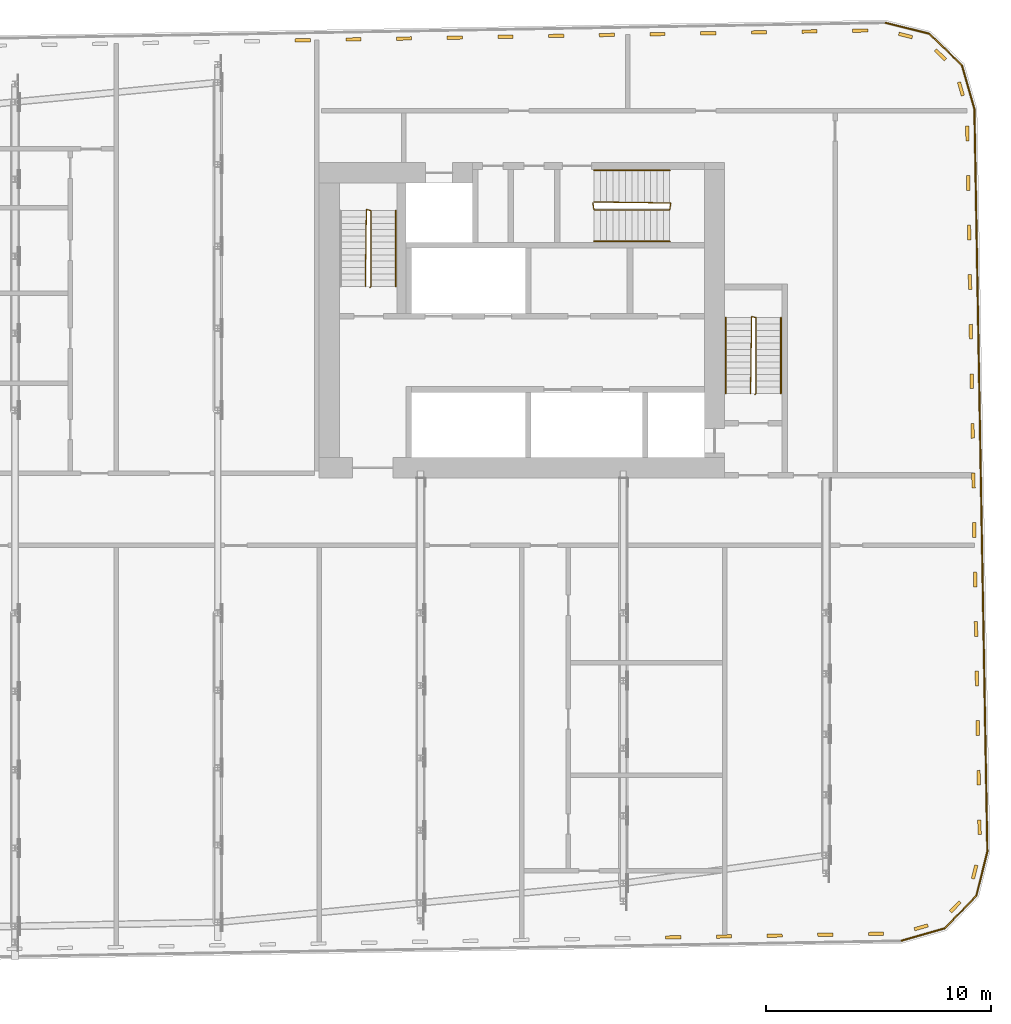
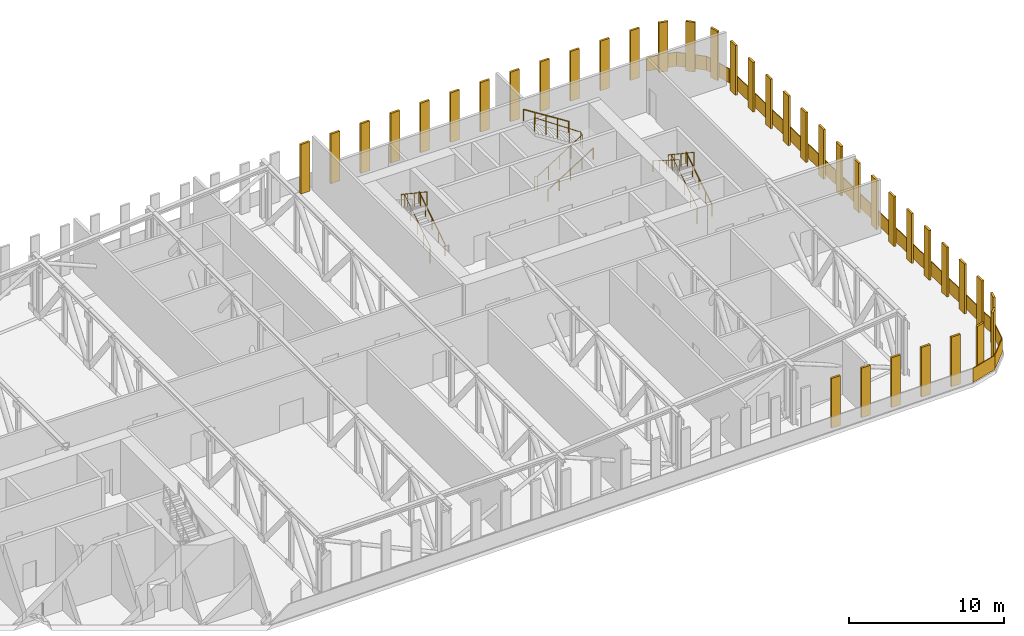
# One storey, part 26 of 26: 38 shading devices, 15 railings.
"""IFC4 building model written with IfcOpenShell, lengths in metres."""

from ifc_helpers import new_model, si_unit, direction, frame, origin, origin_2d, place, context, subcontext, project, spatial, polyline, rectangle, circle, outline, extrude, material, type_object, element, save


model = new_model("IFC4")

# Units and contexts
model_context = context("Model", 3, precision=1e-05, world=origin(), true_north=direction((0.0, 1.0)))
body_context = subcontext(model_context, "Body", "Model", "MODEL_VIEW")
ifc_project = project(units=[si_unit("LENGTHUNIT", "METRE"), si_unit("AREAUNIT", "SQUARE_METRE"), si_unit("VOLUMEUNIT", "CUBIC_METRE"), si_unit("PLANEANGLEUNIT", "RADIAN"), si_unit("MASSUNIT", "GRAM", prefix="KILO")], contexts=[model_context])

# Site, building, storey
site_placement = place(None, origin())
site = spatial("IfcSite", under=ifc_project, at=site_placement, CompositionType="ELEMENT")
building_placement = place(site_placement, origin())
building = spatial("IfcBuilding", under=site, at=building_placement, Name="Kajstack Hotel Tower", CompositionType="ELEMENT")
storey_placement = place(building_placement, frame((0.0, 0.0, 257.300048828125)))
storey = spatial("IfcBuildingStorey", under=building, at=storey_placement, Name="L64", CompositionType="ELEMENT", Elevation=257.300048828125)

# Railings
ifc_material = material(Name="Steel S355J2", Category="steel")
railing_type_1 = type_object("IfcRailingType", Name="GUARD-FACADE", PredefinedType="GUARDRAIL", material=ifc_material)
railing_1_placement = place(storey_placement, frame((39.33447265625, -19.048828125, 0.0)))
element("IfcRailing", 1, at=railing_1_placement, inside=storey, type_object=railing_type_1, Name="Guard L64 slab edge 05", PredefinedType="GUARDRAIL", context=body_context, shape_type="SweptSolid", body=[
    extrude(outline(polyline([(1.935791015625, 0.586181640625), (1.952392578125, 0.528564453125), (0.00830078125, -0.02880859375), (-0.00830078125, 0.02880859375), (1.935791015625, 0.586181640625)])), origin(), (0.0, 0.0, 1.0), 1.10009765625),
])
railing_2_placement = place(storey_placement, frame((41.278564453125, -18.491455078125, 0.0)))
element("IfcRailing", 2, at=railing_2_placement, inside=storey, type_object=railing_type_1, Name="Guard L64 slab edge 06", PredefinedType="GUARDRAIL", context=body_context, shape_type="SweptSolid", body=[
    extrude(outline(polyline([(1.372314453125, 1.464111328125), (1.415283203125, 1.422607421875), (0.021484375, -0.020751953125), (-0.021484375, 0.020751953125), (1.372314453125, 1.464111328125)])), origin(), (0.0, 0.0, 1.0), 1.10009765625),
])
railing_3_placement = place(storey_placement, frame((42.67236328125, -17.048095703125, 0.0)))
element("IfcRailing", 3, at=railing_3_placement, inside=storey, type_object=railing_type_1, Name="Guard L64 slab edge 07", PredefinedType="GUARDRAIL", context=body_context, shape_type="SweptSolid", body=[
    extrude(outline(polyline([(0.460205078125, 1.9697265625), (0.518310546875, 1.955078125), (0.029052734375, -0.00732421875), (-0.029052734375, 0.00732421875), (0.460205078125, 1.9697265625)])), origin(), (0.0, 0.0, 1.0), 1.10009765625),
])
railing_4_placement = place(storey_placement, frame((43.16162109375, -15.085693359375, 0.0)))
element("IfcRailing", 4, at=railing_4_placement, inside=storey, type_object=railing_type_1, Name="Guard L64 slab edge 08", PredefinedType="GUARDRAIL", context=body_context, shape_type="SweptSolid", body=[
    extrude(outline(polyline([(-0.60546875, 32.962890625), (-0.54541015625, 32.9638671875), (0.030029296875, 0.00048828125), (-0.030029296875, -0.00048828125), (-0.60546875, 32.962890625)])), origin(), (0.0, 0.0, 1.0), 1.10009765625),
])
railing_5_placement = place(storey_placement, frame((42.586181640625, 17.877685546875, 0.0)))
element("IfcRailing", 5, at=railing_5_placement, inside=storey, type_object=railing_type_1, Name="Guard L64 slab edge 09", PredefinedType="GUARDRAIL", context=body_context, shape_type="SweptSolid", body=[
    extrude(outline(polyline([(-0.586181640625, 1.93603515625), (-0.528564453125, 1.95263671875), (0.02880859375, 0.00830078125), (-0.02880859375, -0.00830078125), (-0.586181640625, 1.93603515625)])), origin(), (0.0, 0.0, 1.0), 1.10009765625),
])
railing_6_placement = place(storey_placement, frame((42.02880859375, 19.822021484375, 0.0)))
element("IfcRailing", 6, at=railing_6_placement, inside=storey, type_object=railing_type_1, Name="Guard L64 slab edge 10", PredefinedType="GUARDRAIL", context=body_context, shape_type="SweptSolid", body=[
    extrude(outline(polyline([(-1.4638671875, 1.3720703125), (-1.42236328125, 1.4150390625), (0.020751953125, 0.021484375), (-0.020751953125, -0.021484375), (-1.4638671875, 1.3720703125)])), origin(), (0.0, 0.0, 1.0), 1.10009765625),
])
railing_7_placement = place(storey_placement, frame((40.585693359375, 21.215576171875, 0.0)))
element("IfcRailing", 7, at=railing_7_placement, inside=storey, type_object=railing_type_1, Name="Guard L64 slab edge 11", PredefinedType="GUARDRAIL", context=body_context, shape_type="SweptSolid", body=[
    extrude(outline(polyline([(-1.969970703125, 0.460205078125), (-1.955322265625, 0.518310546875), (0.00732421875, 0.029052734375), (-0.00732421875, -0.029052734375), (-1.969970703125, 0.460205078125)])), origin(), (0.0, 0.0, 1.0), 1.10009765625),
])
railing_type_2 = type_object("IfcRailingType", Name="Stair guard 1100", PredefinedType="GUARDRAIL", material=ifc_material)
railing_8_placement = place(storey_placement, frame((32.85009765625, 5.199951171875, 0.0)))
element("IfcRailing", 8, at=railing_8_placement, inside=storey, type_object=railing_type_2, Name="L64 E1 stair guard 1", PredefinedType="GUARDRAIL", context=body_context, shape_type="SweptSolid", body=[
    extrude(circle(Radius=0.02392578125, at=origin_2d()), frame((0.0, 0.0, 1.076171875), z_axis=(0.261663861435, 0.262946527422, 0.928650174897), x_axis=(-0.708833529934, 0.705375805398, 0.0)), (0.0, 0.0, 1.0), 0.1904296875),
    extrude(circle(Radius=0.02392578125, at=origin_2d()), frame((0.0498046875, 0.050048828125, 1.2529296875), z_axis=(0.0, 0.845361898145, 0.534194029511), x_axis=(-1.0, 0.0, 0.0)), (0.0, 0.0, 1.0), 3.974853515625),
    extrude(circle(Radius=0.02392578125, at=origin_2d()), frame((0.0498046875, 3.41015625, 3.3759765625), z_axis=(-0.970351222016, 0.241699205484, 0.0), x_axis=(-0.241699205484, -0.970351222016, 0.0)), (0.0, 0.0, 1.0), 0.2060546875),
    extrude(circle(Radius=0.02392578125, at=origin_2d()), frame((-0.150146484375, 3.4599609375, 3.3759765625), z_axis=(-0.012167607547, -0.828999876131, 0.559116405323), x_axis=(0.999892303572, -0.014675873289, 0.0)), (0.0, 0.0, 1.0), 4.11328125),
    extrude(circle(Radius=0.02099609375, at=origin_2d()), origin(), (0.0, 0.0, 1.0), 1.052001953125),
    extrude(circle(Radius=0.02099609375, at=origin_2d()), frame((0.0498046875, 0.050048828125, 0.1767578125)), (0.0, 0.0, 1.0), 1.052001953125),
    extrude(circle(Radius=0.02099609375, at=origin_2d()), frame((0.0498046875, 0.89013671875, 0.70751953125)), (0.0, 0.0, 1.0), 1.052001953125),
    extrude(circle(Radius=0.02099609375, at=origin_2d()), frame((0.0498046875, 1.72998046875, 1.23828125)), (0.0, 0.0, 1.0), 1.052001953125),
    extrude(circle(Radius=0.02099609375, at=origin_2d()), frame((0.0498046875, 2.570068359375, 1.769287109375)), (0.0, 0.0, 1.0), 1.052001953125),
    extrude(circle(Radius=0.02099609375, at=origin_2d()), frame((0.0498046875, 3.41015625, 2.300048828125)), (0.0, 0.0, 1.0), 1.052001953125),
    extrude(circle(Radius=0.02099609375, at=origin_2d()), frame((-0.150146484375, 3.4599609375, 2.300048828125)), (0.0, 0.0, 1.0), 1.052001953125),
    extrude(circle(Radius=0.02099609375, at=origin_2d()), frame((-0.16259765625, 2.607421875, 2.875)), (0.0, 0.0, 1.0), 1.052001953125),
    extrude(circle(Radius=0.02099609375, at=origin_2d()), frame((-0.17529296875, 1.7548828125, 3.449951171875)), (0.0, 0.0, 1.0), 1.052001953125),
    extrude(circle(Radius=0.02099609375, at=origin_2d()), frame((-0.187744140625, 0.902587890625, 4.02490234375)), (0.0, 0.0, 1.0), 1.052001953125),
    extrude(circle(Radius=0.02099609375, at=origin_2d()), frame((-0.2001953125, 0.050048828125, 4.599853515625)), (0.0, 0.0, 1.0), 1.052001953125),
])
railing_9_placement = place(storey_placement, frame((15.75, 9.949951171875, 0.0)))
element("IfcRailing", 9, at=railing_9_placement, inside=storey, type_object=railing_type_2, Name="L64 E2 stair guard 1", PredefinedType="GUARDRAIL", context=body_context, shape_type="SweptSolid", body=[
    extrude(circle(Radius=0.02392578125, at=origin_2d()), frame((0.0, 0.0, 1.076171875), z_axis=(0.262858103699, 0.262858103699, 0.928337888185), x_axis=(-0.707106781187, 0.707106781187, 0.0)), (0.0, 0.0, 1.0), 0.1904296875),
    extrude(circle(Radius=0.02392578125, at=origin_2d()), frame((0.050048828125, 0.050048828125, 1.2529296875), z_axis=(0.0, 0.845361898145, 0.534194029511), x_axis=(-1.0, 0.0, 0.0)), (0.0, 0.0, 1.0), 3.974853515625),
    extrude(circle(Radius=0.02392578125, at=origin_2d()), frame((0.050048828125, 3.41015625, 3.3759765625), z_axis=(-0.970351222016, 0.241699205484, 0.0), x_axis=(-0.241699205484, -0.970351222016, 0.0)), (0.0, 0.0, 1.0), 0.2060546875),
    extrude(circle(Radius=0.02392578125, at=origin_2d()), frame((-0.14990234375, 3.4599609375, 3.3759765625), z_axis=(-0.012167607547, -0.828999876131, 0.559116405323), x_axis=(0.999892303572, -0.014675873289, 0.0)), (0.0, 0.0, 1.0), 4.11328125),
    extrude(circle(Radius=0.02099609375, at=origin_2d()), origin(), (0.0, 0.0, 1.0), 1.052001953125),
    extrude(circle(Radius=0.02099609375, at=origin_2d()), frame((0.050048828125, 0.050048828125, 0.1767578125)), (0.0, 0.0, 1.0), 1.052001953125),
    extrude(circle(Radius=0.02099609375, at=origin_2d()), frame((0.050048828125, 0.89013671875, 0.70751953125)), (0.0, 0.0, 1.0), 1.052001953125),
    extrude(circle(Radius=0.02099609375, at=origin_2d()), frame((0.050048828125, 1.72998046875, 1.23828125)), (0.0, 0.0, 1.0), 1.052001953125),
    extrude(circle(Radius=0.02099609375, at=origin_2d()), frame((0.050048828125, 2.570068359375, 1.769287109375)), (0.0, 0.0, 1.0), 1.052001953125),
    extrude(circle(Radius=0.02099609375, at=origin_2d()), frame((0.050048828125, 3.41015625, 2.300048828125)), (0.0, 0.0, 1.0), 1.052001953125),
    extrude(circle(Radius=0.02099609375, at=origin_2d()), frame((-0.14990234375, 3.4599609375, 2.300048828125)), (0.0, 0.0, 1.0), 1.052001953125),
    extrude(circle(Radius=0.02099609375, at=origin_2d()), frame((-0.162353515625, 2.607421875, 2.875)), (0.0, 0.0, 1.0), 1.052001953125),
    extrude(circle(Radius=0.02099609375, at=origin_2d()), frame((-0.1748046875, 1.7548828125, 3.449951171875)), (0.0, 0.0, 1.0), 1.052001953125),
    extrude(circle(Radius=0.02099609375, at=origin_2d()), frame((-0.1875, 0.902587890625, 4.02490234375)), (0.0, 0.0, 1.0), 1.052001953125),
    extrude(circle(Radius=0.02099609375, at=origin_2d()), frame((-0.199951171875, 0.050048828125, 4.599853515625)), (0.0, 0.0, 1.0), 1.052001953125),
])
railing_10_placement = place(storey_placement, frame((25.64990234375, 13.699951171875, 0.0)))
element("IfcRailing", 10, at=railing_10_placement, inside=storey, type_object=railing_type_2, Name="L64 E3 stair guard 1", PredefinedType="GUARDRAIL", context=body_context, shape_type="SweptSolid", body=[
    extrude(circle(Radius=0.02392578125, at=origin_2d()), frame((0.0, 0.0, 1.076171875), z_axis=(0.142256803, -0.852846882373, 0.502409392057), x_axis=(0.986372223864, 0.164529134168, 0.0)), (0.0, 0.0, 1.0), 0.351806640625),
    extrude(circle(Radius=0.02392578125, at=origin_2d()), frame((0.050048828125, -0.300048828125, 1.2529296875), z_axis=(0.845361898145, 0.0, 0.534194029511), x_axis=(0.0, 1.0, 0.0)), (0.0, 0.0, 1.0), 3.974853515625),
    extrude(circle(Radius=0.02392578125, at=origin_2d()), frame((3.41015625, -0.300048828125, 3.3759765625), z_axis=(0.164529134168, 0.986372223864, 0.0), x_axis=(-0.986372223864, 0.164529134168, 0.0)), (0.0, 0.0, 1.0), 0.30419921875),
    extrude(circle(Radius=0.02392578125, at=origin_2d()), frame((3.460205078125, 0.0, 3.3759765625), z_axis=(-0.829018438328, 0.012167008867, 0.559088895264), x_axis=(-0.014674822837, -0.99989231899, 0.0)), (0.0, 0.0, 1.0), 4.113525390625),
    extrude(circle(Radius=0.02099609375, at=origin_2d()), origin(), (0.0, 0.0, 1.0), 1.052001953125),
    extrude(circle(Radius=0.02099609375, at=origin_2d()), frame((0.050048828125, -0.300048828125, 0.1767578125)), (0.0, 0.0, 1.0), 1.052001953125),
    extrude(circle(Radius=0.02099609375, at=origin_2d()), frame((0.89013671875, -0.300048828125, 0.70751953125)), (0.0, 0.0, 1.0), 1.052001953125),
    extrude(circle(Radius=0.02099609375, at=origin_2d()), frame((1.72998046875, -0.300048828125, 1.23828125)), (0.0, 0.0, 1.0), 1.052001953125),
    extrude(circle(Radius=0.02099609375, at=origin_2d()), frame((2.570068359375, -0.300048828125, 1.769287109375)), (0.0, 0.0, 1.0), 1.052001953125),
    extrude(circle(Radius=0.02099609375, at=origin_2d()), frame((3.41015625, -0.300048828125, 2.300048828125)), (0.0, 0.0, 1.0), 1.052001953125),
    extrude(circle(Radius=0.02099609375, at=origin_2d()), frame((3.460205078125, 0.0, 2.300048828125)), (0.0, 0.0, 1.0), 1.052001953125),
    extrude(circle(Radius=0.02099609375, at=origin_2d()), frame((2.607666015625, 0.012451171875, 2.875)), (0.0, 0.0, 1.0), 1.052001953125),
    extrude(circle(Radius=0.02099609375, at=origin_2d()), frame((1.755126953125, 0.02490234375, 3.449951171875)), (0.0, 0.0, 1.0), 1.052001953125),
    extrude(circle(Radius=0.02099609375, at=origin_2d()), frame((0.902587890625, 0.03759765625, 4.02490234375)), (0.0, 0.0, 1.0), 1.052001953125),
    extrude(circle(Radius=0.02099609375, at=origin_2d()), frame((0.050048828125, 0.050048828125, 4.599853515625)), (0.0, 0.0, 1.0), 1.052001953125),
])
railing_type_3 = type_object("IfcRailingType", Name="Stair handrail 900", PredefinedType="HANDRAIL", material=ifc_material)
railing_11_placement = place(storey_placement, frame((34.0, 5.25, 0.1767578125)))
element("IfcRailing", 11, at=railing_11_placement, inside=storey, type_object=railing_type_3, Name="L64 E1 stair handrail 1", PredefinedType="HANDRAIL", context=body_context, shape_type="SweptSolid", body=[
    extrude(circle(Radius=0.02392578125, at=origin_2d()), frame((0.0, 0.0, 0.8759765625), z_axis=(0.0, 0.845361898145, 0.534194029511), x_axis=(-1.0, 0.0, 0.0)), (0.0, 0.0, 1.0), 3.974853515625),
    extrude(circle(Radius=0.02099609375, at=origin_2d()), origin(), (0.0, 0.0, 1.0), 0.851806640625),
    extrude(circle(Radius=0.02099609375, at=origin_2d()), frame((0.0, 0.840087890625, 0.53076171875)), (0.0, 0.0, 1.0), 0.851806640625),
    extrude(circle(Radius=0.02099609375, at=origin_2d()), frame((0.0, 1.68017578125, 1.0615234375)), (0.0, 0.0, 1.0), 0.851806640625),
    extrude(circle(Radius=0.02099609375, at=origin_2d()), frame((0.0, 2.52001953125, 1.592529296875)), (0.0, 0.0, 1.0), 0.851806640625),
    extrude(circle(Radius=0.02099609375, at=origin_2d()), frame((0.0, 3.360107421875, 2.123291015625)), (0.0, 0.0, 1.0), 0.851806640625),
])
railing_12_placement = place(storey_placement, frame((31.550048828125, 8.610107421875, 2.476806640625)))
element("IfcRailing", 12, at=railing_12_placement, inside=storey, type_object=railing_type_3, Name="L64 E1 stair handrail 2", PredefinedType="HANDRAIL", context=body_context, shape_type="SweptSolid", body=[
    extrude(circle(Radius=0.02392578125, at=origin_2d()), frame((0.0, 0.0, 0.8759765625), z_axis=(0.0, -0.845389635667, 0.534150132366), x_axis=(1.0, 0.0, 0.0)), (0.0, 0.0, 1.0), 3.974609375),
    extrude(circle(Radius=0.02099609375, at=origin_2d()), origin(), (0.0, 0.0, 1.0), 0.851806640625),
    extrude(circle(Radius=0.02099609375, at=origin_2d()), frame((0.0, -0.840087890625, 0.53076171875)), (0.0, 0.0, 1.0), 0.851806640625),
    extrude(circle(Radius=0.02099609375, at=origin_2d()), frame((0.0, -1.68017578125, 1.0615234375)), (0.0, 0.0, 1.0), 0.851806640625),
    extrude(circle(Radius=0.02099609375, at=origin_2d()), frame((0.0, -2.52001953125, 1.59228515625)), (0.0, 0.0, 1.0), 0.851806640625),
    extrude(circle(Radius=0.02099609375, at=origin_2d()), frame((0.0, -3.360107421875, 2.123046875)), (0.0, 0.0, 1.0), 0.851806640625),
])
railing_13_placement = place(storey_placement, frame((16.89990234375, 10.0, 0.1767578125)))
element("IfcRailing", 13, at=railing_13_placement, inside=storey, type_object=railing_type_3, Name="L64 E2 stair handrail 1", PredefinedType="HANDRAIL", context=body_context, shape_type="SweptSolid", body=[
    extrude(circle(Radius=0.02392578125, at=origin_2d()), frame((0.0, 0.0, 0.8759765625), z_axis=(0.0, 0.845361898145, 0.534194029511), x_axis=(-1.0, 0.0, 0.0)), (0.0, 0.0, 1.0), 3.974853515625),
    extrude(circle(Radius=0.02099609375, at=origin_2d()), origin(), (0.0, 0.0, 1.0), 0.851806640625),
    extrude(circle(Radius=0.02099609375, at=origin_2d()), frame((0.0, 0.840087890625, 0.53076171875)), (0.0, 0.0, 1.0), 0.851806640625),
    extrude(circle(Radius=0.02099609375, at=origin_2d()), frame((0.0, 1.68017578125, 1.0615234375)), (0.0, 0.0, 1.0), 0.851806640625),
    extrude(circle(Radius=0.02099609375, at=origin_2d()), frame((0.0, 2.52001953125, 1.592529296875)), (0.0, 0.0, 1.0), 0.851806640625),
    extrude(circle(Radius=0.02099609375, at=origin_2d()), frame((0.0, 3.360107421875, 2.123291015625)), (0.0, 0.0, 1.0), 0.851806640625),
])
railing_14_placement = place(storey_placement, frame((25.699951171875, 12.0, 0.1767578125)))
element("IfcRailing", 14, at=railing_14_placement, inside=storey, type_object=railing_type_3, Name="L64 E3 stair handrail 1", PredefinedType="HANDRAIL", context=body_context, shape_type="SweptSolid", body=[
    extrude(circle(Radius=0.02392578125, at=origin_2d()), frame((0.0, 0.0, 0.8759765625), z_axis=(0.845361898145, 0.0, 0.534194029511), x_axis=(0.0, 1.0, 0.0)), (0.0, 0.0, 1.0), 3.974853515625),
    extrude(circle(Radius=0.02099609375, at=origin_2d()), origin(), (0.0, 0.0, 1.0), 0.851806640625),
    extrude(circle(Radius=0.02099609375, at=origin_2d()), frame((0.840087890625, 0.0, 0.53076171875)), (0.0, 0.0, 1.0), 0.851806640625),
    extrude(circle(Radius=0.02099609375, at=origin_2d()), frame((1.68017578125, 0.0, 1.0615234375)), (0.0, 0.0, 1.0), 0.851806640625),
    extrude(circle(Radius=0.02099609375, at=origin_2d()), frame((2.52001953125, 0.0, 1.592529296875)), (0.0, 0.0, 1.0), 0.851806640625),
    extrude(circle(Radius=0.02099609375, at=origin_2d()), frame((3.360107421875, 0.0, 2.123291015625)), (0.0, 0.0, 1.0), 0.851806640625),
])
railing_15_placement = place(storey_placement, frame((29.06005859375, 15.14990234375, 2.476806640625)))
element("IfcRailing", 15, at=railing_15_placement, inside=storey, type_object=railing_type_3, Name="L64 E3 stair handrail 2", PredefinedType="HANDRAIL", context=body_context, shape_type="SweptSolid", body=[
    extrude(circle(Radius=0.02392578125, at=origin_2d()), frame((0.0, 0.0, 0.8759765625), z_axis=(-0.845389635667, 0.0, 0.534150132366), x_axis=(0.0, -1.0, 0.0)), (0.0, 0.0, 1.0), 3.974609375),
    extrude(circle(Radius=0.02099609375, at=origin_2d()), origin(), (0.0, 0.0, 1.0), 0.851806640625),
    extrude(circle(Radius=0.02099609375, at=origin_2d()), frame((-0.840087890625, 0.0, 0.53076171875)), (0.0, 0.0, 1.0), 0.851806640625),
    extrude(circle(Radius=0.02099609375, at=origin_2d()), frame((-1.68017578125, 0.0, 1.0615234375)), (0.0, 0.0, 1.0), 0.851806640625),
    extrude(circle(Radius=0.02099609375, at=origin_2d()), frame((-2.52001953125, 0.0, 1.59228515625)), (0.0, 0.0, 1.0), 0.851806640625),
    extrude(circle(Radius=0.02099609375, at=origin_2d()), frame((-3.360107421875, 0.0, 2.123046875)), (0.0, 0.0, 1.0), 0.851806640625),
])

# Shading devices
for number, where, z_axis, x_axis, name in (
    (16, (29.220947265625, -18.895263671875, 0.0), (0.0, 0.0, 1.0), (0.999847688455, 0.017452790351, 0.0), "Screen L64-04-28"),
    (17, (31.470703125, -18.856201171875, 0.0), (0.0, 0.0, 1.0), (0.999847688455, 0.017452790351, 0.0), "Screen L64-04-29"),
    (18, (33.72021484375, -18.81689453125, 0.0), (0.0, 0.0, 1.0), (0.999847688455, 0.017452790351, 0.0), "Screen L64-04-30"),
    (19, (35.969970703125, -18.777587890625, 0.0), (0.0, 0.0, 1.0), (0.999847688455, 0.017452790351, 0.0), "Screen L64-04-31"),
    (20, (38.2197265625, -18.73828125, 0.0), (0.0, 0.0, 1.0), (0.999847688455, 0.017452790351, 0.0), "Screen L64-04-32"),
):
    element("IfcShadingDevice", number, at=place(storey_placement, frame(where, z_axis=z_axis, x_axis=x_axis)), inside=storey, Name=name, ObjectType="SCREEN", PredefinedType="USERDEFINED", context=body_context, shape_type="SweptSolid", body=[
        extrude(rectangle(XDim=0.675048828125, YDim=0.14990234375, at=origin_2d()), origin(), (0.0, 0.0, 1.0), 3.89990234375),
    ])
for number, where, z_axis, x_axis, name in (
    (21, (40.223388671875, -18.45068359375, 0.0), (0.0, 0.0, 1.0), (0.961262889003, 0.275633195073, 0.0), "Screen L64-05-01"),
    (22, (41.738037109375, -17.54052734375, 0.0), (0.0, 0.0, 1.0), (0.694660015142, 0.719338212083, 0.0), "Screen L64-06-01"),
    (23, (42.5947265625, -15.9951171875, 0.0), (0.0, 0.0, 1.0), (0.241921912535, 0.970295722054, 0.0), "Screen L64-07-01"),
):
    element("IfcShadingDevice", number, at=place(storey_placement, frame(where, z_axis=z_axis, x_axis=x_axis)), inside=storey, Name=name, ObjectType="SCREEN", PredefinedType="USERDEFINED", context=body_context, shape_type="SweptSolid", body=[
        extrude(rectangle(XDim=0.62109375, YDim=0.14990234375, at=origin_2d()), origin(), (0.0, 0.0, 1.0), 3.89990234375),
    ])
for number, where, z_axis, x_axis, name in (
    (24, (42.812744140625, -14.00732421875, 0.0), (0.0, 0.0, 1.0), (-0.017454535415, 0.999847657993, 0.0), "Screen L64-08-01"),
    (25, (42.7744140625, -11.807861328125, 0.0), (0.0, 0.0, 1.0), (-0.017454535415, 0.999847657993, 0.0), "Screen L64-08-02"),
    (26, (42.736083984375, -9.608154296875, 0.0), (0.0, 0.0, 1.0), (-0.017454535415, 0.999847657993, 0.0), "Screen L64-08-03"),
    (27, (42.697509765625, -7.408447265625, 0.0), (0.0, 0.0, 1.0), (-0.017454535415, 0.999847657993, 0.0), "Screen L64-08-04"),
    (28, (42.6591796875, -5.208740234375, 0.0), (0.0, 0.0, 1.0), (-0.017454535415, 0.999847657993, 0.0), "Screen L64-08-05"),
    (29, (42.620849609375, -3.009033203125, 0.0), (0.0, 0.0, 1.0), (-0.017454535415, 0.999847657993, 0.0), "Screen L64-08-06"),
    (30, (42.582275390625, -0.809326171875, 0.0), (0.0, 0.0, 1.0), (-0.017454535415, 0.999847657993, 0.0), "Screen L64-08-07"),
    (31, (42.5439453125, 1.39013671875, 0.0), (0.0, 0.0, 1.0), (-0.017454535415, 0.999847657993, 0.0), "Screen L64-08-08"),
    (32, (42.505615234375, 3.58984375, 0.0), (0.0, 0.0, 1.0), (-0.017454535415, 0.999847657993, 0.0), "Screen L64-08-09"),
    (33, (42.46728515625, 5.78955078125, 0.0), (0.0, 0.0, 1.0), (-0.017454535415, 0.999847657993, 0.0), "Screen L64-08-10"),
    (34, (42.4287109375, 7.9892578125, 0.0), (0.0, 0.0, 1.0), (-0.017454535415, 0.999847657993, 0.0), "Screen L64-08-11"),
    (35, (42.390380859375, 10.18896484375, 0.0), (0.0, 0.0, 1.0), (-0.017454535415, 0.999847657993, 0.0), "Screen L64-08-12"),
    (36, (42.35205078125, 12.388671875, 0.0), (0.0, 0.0, 1.0), (-0.017454535415, 0.999847657993, 0.0), "Screen L64-08-13"),
    (37, (42.3134765625, 14.588134765625, 0.0), (0.0, 0.0, 1.0), (-0.017454535415, 0.999847657993, 0.0), "Screen L64-08-14"),
    (38, (42.275146484375, 16.787841796875, 0.0), (0.0, 0.0, 1.0), (-0.017454535415, 0.999847657993, 0.0), "Screen L64-08-15"),
):
    element("IfcShadingDevice", number, at=place(storey_placement, frame(where, z_axis=z_axis, x_axis=x_axis)), inside=storey, Name=name, ObjectType="SCREEN", PredefinedType="USERDEFINED", context=body_context, shape_type="SweptSolid", body=[
        extrude(rectangle(XDim=0.659912109375, YDim=0.14990234375, at=origin_2d()), origin(), (0.0, 0.0, 1.0), 3.89990234375),
    ])
for number, where, z_axis, x_axis, name in (
    (39, (41.988037109375, 18.7666015625, 0.0), (0.0, 0.0, 1.0), (-0.275633195073, 0.961262889003, 0.0), "Screen L64-09-01"),
    (40, (41.077880859375, 20.281494140625, 0.0), (0.0, 0.0, 1.0), (-0.719314909149, 0.694684145116, 0.0), "Screen L64-10-01"),
    (41, (39.532470703125, 21.13818359375, 0.0), (0.0, 0.0, 1.0), (-0.970298546729, 0.2419105831, 0.0), "Screen L64-11-01"),
):
    element("IfcShadingDevice", number, at=place(storey_placement, frame(where, z_axis=z_axis, x_axis=x_axis)), inside=storey, Name=name, ObjectType="SCREEN", PredefinedType="USERDEFINED", context=body_context, shape_type="SweptSolid", body=[
        extrude(rectangle(XDim=0.62109375, YDim=0.14990234375, at=origin_2d()), origin(), (0.0, 0.0, 1.0), 3.89990234375),
    ])
for number, where, z_axis, x_axis, name in (
    (42, (37.519775390625, 21.355712890625, 0.0), (0.0, 0.0, 1.0), (-0.999847688455, -0.017452790351, 0.0), "Screen L64-12-01"),
    (43, (35.27001953125, 21.31640625, 0.0), (0.0, 0.0, 1.0), (-0.999847688455, -0.017452790351, 0.0), "Screen L64-12-02"),
    (44, (33.0205078125, 21.277099609375, 0.0), (0.0, 0.0, 1.0), (-0.999847688455, -0.017452790351, 0.0), "Screen L64-12-03"),
    (45, (30.770751953125, 21.23779296875, 0.0), (0.0, 0.0, 1.0), (-0.999847688455, -0.017452790351, 0.0), "Screen L64-12-04"),
    (46, (28.52099609375, 21.198486328125, 0.0), (0.0, 0.0, 1.0), (-0.999847688455, -0.017452790351, 0.0), "Screen L64-12-05"),
    (47, (26.271484375, 21.1591796875, 0.0), (0.0, 0.0, 1.0), (-0.999847688455, -0.017452790351, 0.0), "Screen L64-12-06"),
    (48, (24.021728515625, 21.1201171875, 0.0), (0.0, 0.0, 1.0), (-0.999847688455, -0.017452790351, 0.0), "Screen L64-12-07"),
    (49, (21.772216796875, 21.080810546875, 0.0), (0.0, 0.0, 1.0), (-0.999847688455, -0.017452790351, 0.0), "Screen L64-12-08"),
    (50, (19.5224609375, 21.04150390625, 0.0), (0.0, 0.0, 1.0), (-0.999847688455, -0.017452790351, 0.0), "Screen L64-12-09"),
    (51, (17.272705078125, 21.002197265625, 0.0), (0.0, 0.0, 1.0), (-0.999847688455, -0.017452790351, 0.0), "Screen L64-12-10"),
    (52, (15.023193359375, 20.962890625, 0.0), (0.0, 0.0, 1.0), (-0.999847688455, -0.017452790351, 0.0), "Screen L64-12-11"),
    (53, (12.7734375, 20.923583984375, 0.0), (0.0, 0.0, 1.0), (-0.999847688455, -0.017452790351, 0.0), "Screen L64-12-12"),
):
    element("IfcShadingDevice", number, at=place(storey_placement, frame(where, z_axis=z_axis, x_axis=x_axis)), inside=storey, Name=name, ObjectType="SCREEN", PredefinedType="USERDEFINED", context=body_context, shape_type="SweptSolid", body=[
        extrude(rectangle(XDim=0.675048828125, YDim=0.14990234375, at=origin_2d()), origin(), (0.0, 0.0, 1.0), 3.89990234375),
    ])

save(model, "model.ifc")
